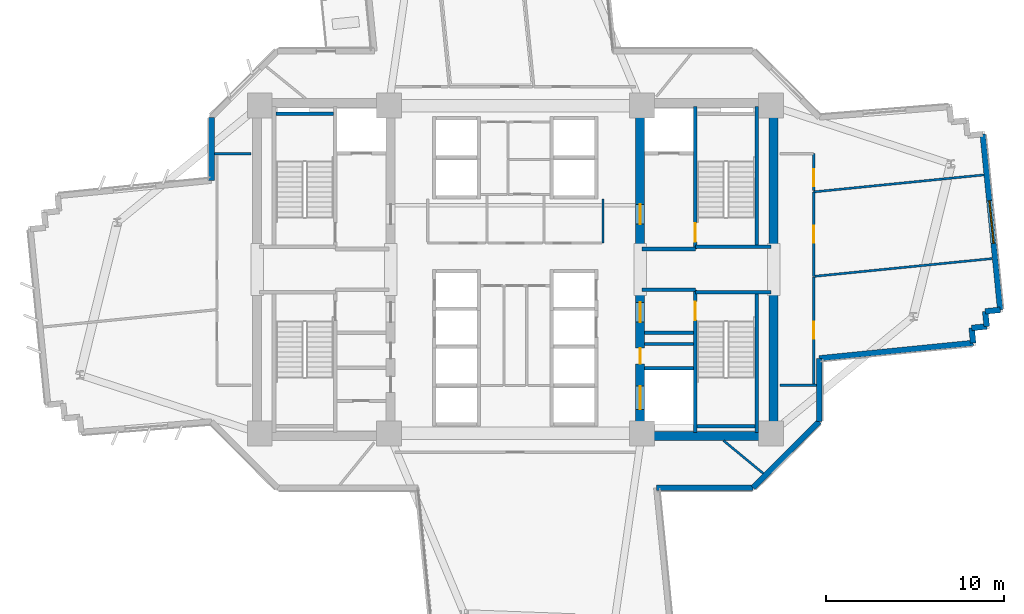
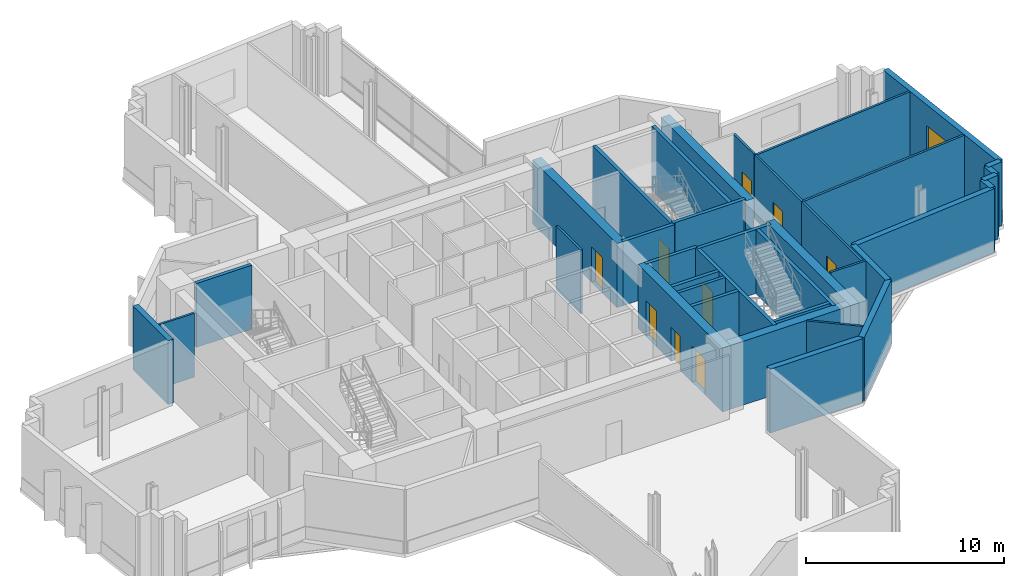
# One storey, part 8 of 14: 37 walls, 9 doors, 1 window, 10 openings.
"""IFC4 building model written with IfcOpenShell, lengths in metres."""

import ifcopenshell
import ifcopenshell.guid

model = None  # the IFC model being written
_history = None  # IfcOwnerHistory: only IFC2X3 demands one
_inside = {}  # id of a spatial element -> (the spatial element, [elements in it])
_under = {}  # id of a project, library or spatial element -> (it, [spatial elements below it])
_declared = {}  # id of a project -> (the project, [libraries it declares])
_typed = {}  # id of a type object -> (the type object, [elements of that type])
_made_of = {}  # id of a material, layer set ... -> (it, [elements and type objects made of it])


def new_model(schema):
    """Start an empty IFC model of exactly this schema.

    Asked for "IFC4X3", IfcOpenShell would pick the latest addendum, in which some entities
    have other attributes; the version numbers below select the first issue.
    IFC2X3 requires an IfcOwnerHistory on every rooted entity: one is made here for all.
    """
    global model, _history
    if schema == "IFC4X3":
        model = ifcopenshell.file(schema_version=(4, 3, 0, 0))
    else:
        model = ifcopenshell.file(schema=schema)
    _inside.clear()
    _under.clear()
    _declared.clear()
    _typed.clear()
    _made_of.clear()
    _history = None
    if model.schema == "IFC2X3":
        org = make("IfcOrganization", Name="unknown")
        user = make(
            "IfcPersonAndOrganization",
            ThePerson=make("IfcPerson", FamilyName="unknown"),
            TheOrganization=org,
        )
        app = make(
            "IfcApplication",
            ApplicationDeveloper=org,
            Version="unknown",
            ApplicationFullName="unknown",
            ApplicationIdentifier="unknown",
        )
        _history = make(
            "IfcOwnerHistory",
            OwningUser=user,
            OwningApplication=app,
            ChangeAction="ADDED",
            CreationDate=0,
        )
    return model


def make(cls, **values):
    """One entity of the class cls with the attributes given. An attribute that is None is left unset."""
    return model.create_entity(
        cls, **{name: value for name, value in values.items() if value is not None}
    )


def rooted(cls, **values):
    """An entity with a GlobalId (a new one), such as an element, a storey or a relation."""
    return make(cls, GlobalId=ifcopenshell.guid.new(), OwnerHistory=_history, **values)


def si_unit(unit_type, name, prefix=None):
    """IfcSIUnit, for example si_unit("LENGTHUNIT", "METRE", prefix="MILLI")."""
    return make("IfcSIUnit", UnitType=unit_type, Prefix=prefix, Name=name)


def assignment(units):
    """IfcUnitAssignment: the units of a project."""
    return None if units is None else make("IfcUnitAssignment", Units=units)


def point(xyz):
    """IfcCartesianPoint."""
    return None if xyz is None else make("IfcCartesianPoint", Coordinates=xyz)


def direction(xyz):
    """IfcDirection."""
    return None if xyz is None else make("IfcDirection", DirectionRatios=xyz)


def frame(location, z_axis=None, x_axis=None):
    """IfcAxis2Placement3D, a coordinate frame: its origin and axes. An axis left out is left unset."""
    return make(
        "IfcAxis2Placement3D",
        Location=point(location),
        Axis=direction(z_axis),
        RefDirection=direction(x_axis),
    )


def frame_2d(location, x_axis=None):
    """IfcAxis2Placement2D, a coordinate frame in the plane: its origin and x axis."""
    return make(
        "IfcAxis2Placement2D", Location=point(location), RefDirection=direction(x_axis)
    )


def origin():
    """The frame at (0, 0, 0) with its axes left unset."""
    return frame((0.0, 0.0, 0.0))


def place(relative_to, where):
    """IfcLocalPlacement: puts the frame where relative to a parent placement (None: the world)."""
    return make(
        "IfcLocalPlacement", PlacementRelTo=relative_to, RelativePlacement=where
    )


def context(
    kind, dimensions, precision=None, world=None, true_north=None, identifier=None
):
    """IfcGeometricRepresentationContext, for example the 3D "Model" context."""
    return make(
        "IfcGeometricRepresentationContext",
        ContextIdentifier=identifier,
        ContextType=kind,
        CoordinateSpaceDimension=dimensions,
        Precision=precision,
        WorldCoordinateSystem=world,
        TrueNorth=true_north,
    )


def subcontext(parent, identifier, kind, view, scale=None):
    """IfcGeometricRepresentationSubContext, for example "Body" below "Model"."""
    return make(
        "IfcGeometricRepresentationSubContext",
        ContextIdentifier=identifier,
        ContextType=kind,
        ParentContext=parent,
        TargetScale=scale,
        TargetView=view,
    )


def project(units=None, contexts=None):
    """IfcProject with its units and contexts."""
    return rooted(
        "IfcProject",
        Name="project",
        RepresentationContexts=contexts,
        UnitsInContext=assignment(units),
    )


def spatial(cls, under=None, at=None, **own):
    """A site, building, storey or space (cls), placed at a placement, below another one or the project."""
    s = rooted(cls, ObjectPlacement=at, **own)
    if under is not None:
        _under.setdefault(under.id(), (under, []))[1].append(s)
    return s


def profile(cls, at=None, kind="AREA", **sizes):
    """A parametric profile (cls). Its sizes go by their IFC names, for example OverallWidth=200.0."""
    return make(cls, ProfileType=kind, Position=at, **sizes)


def rectangle(**sizes):
    """IfcRectangleProfileDef."""
    return profile("IfcRectangleProfileDef", **sizes)


def extrude(swept, where, along, depth):
    """IfcExtrudedAreaSolid: the profile swept, set in the frame where, extruded along a direction by depth."""
    return make(
        "IfcExtrudedAreaSolid",
        SweptArea=swept,
        Position=where,
        ExtrudedDirection=direction(along),
        Depth=depth,
    )


def shape(context_of_items, identifier, shape_type, items):
    """IfcShapeRepresentation: the items that make up one representation, for example the "Body"."""
    return make(
        "IfcShapeRepresentation",
        ContextOfItems=context_of_items,
        RepresentationIdentifier=identifier,
        RepresentationType=shape_type,
        Items=items,
    )


def source(mapping_origin, context_of_items, identifier, shape_type, items):
    """IfcRepresentationMap: a shape defined once, which mapped items show again and again."""
    return make(
        "IfcRepresentationMap",
        MappingOrigin=mapping_origin,
        MappedRepresentation=shape(context_of_items, identifier, shape_type, items),
    )


def transform(
    local_origin,
    x_axis=None,
    y_axis=None,
    z_axis=None,
    scale=None,
    scale2=None,
    scale3=None,
    uniform=True,
):
    """IfcCartesianTransformationOperator3D, or its non-uniform kind. x_axis, y_axis, z_axis: its Axis1, 2, 3."""
    if uniform:
        return make(
            "IfcCartesianTransformationOperator3D",
            Axis1=direction(x_axis),
            Axis2=direction(y_axis),
            LocalOrigin=point(local_origin),
            Scale=scale,
            Axis3=direction(z_axis),
        )
    return make(
        "IfcCartesianTransformationOperator3DnonUniform",
        Axis1=direction(x_axis),
        Axis2=direction(y_axis),
        LocalOrigin=point(local_origin),
        Scale=scale,
        Axis3=direction(z_axis),
        Scale2=scale2,
        Scale3=scale3,
    )


def mapped(mapping_source, mapping_target):
    """IfcMappedItem: shows the shape of a source again, moved by a transform."""
    return make(
        "IfcMappedItem", MappingSource=mapping_source, MappingTarget=mapping_target
    )


def material(Name=None, Category=None):
    """IfcMaterial."""
    return make("IfcMaterial", Name=Name, Category=Category)


def layer(
    of_material, thickness, ventilated=None, Name=None, Category=None, Priority=None
):
    """IfcMaterialLayer: one layer of a wall or slab, of a material (None: an air gap)."""
    return make(
        "IfcMaterialLayer",
        Material=of_material,
        LayerThickness=thickness,
        IsVentilated=ventilated,
        Name=Name,
        Category=Category,
        Priority=Priority,
    )


def layer_set(layers, Name=None):
    """IfcMaterialLayerSet."""
    return make("IfcMaterialLayerSet", MaterialLayers=layers, LayerSetName=Name)


def made_of(thing, what):
    """Note that an element or type object is made of a material, layer set ...; save() writes the relation."""
    if what is not None:
        _made_of.setdefault(what.id(), (what, []))[1].append(thing)
    return thing


def type_object(cls, material=None, **own):
    """A type object (cls), such as IfcWallType, which elements share."""
    return made_of(rooted(cls, **own), material)


def element(
    cls,
    number,
    at=None,
    inside=None,
    cuts=None,
    type_object=None,
    material=None,
    context=None,
    identifier="Body",
    shape_type=None,
    held_by="IfcProductDefinitionShape",
    body=None,
    shapes=None,
    **own,
):
    """One element of the class cls, such as IfcWall. Its Tag is "e" and its number.

    at: its placement. inside: the storey or other place that contains it. cuts: it is an
    opening in that element (IfcRelVoidsElement). A single representation is given by context,
    identifier, shape_type and body (its items); several are given by shapes. held_by: the class
    of the entity that holds the representations. save() writes the other relations.
    """
    e = rooted(cls, Tag="e%d" % number, ObjectPlacement=at, **own)
    if body is not None:
        shapes = [shape(context, identifier, shape_type, body)]
    if shapes is not None:
        e.Representation = make(held_by, Representations=shapes)
    if inside is not None:
        _inside.setdefault(inside.id(), (inside, []))[1].append(e)
    if cuts is not None:
        rooted(
            "IfcRelVoidsElement", RelatingBuildingElement=cuts, RelatedOpeningElement=e
        )
    if type_object is not None:
        _typed.setdefault(type_object.id(), (type_object, []))[1].append(e)
    return made_of(e, material)


def fill(opening, filler):
    """IfcRelFillsElement: the door or window that sits in an opening."""
    return rooted(
        "IfcRelFillsElement",
        RelatingOpeningElement=opening,
        RelatedBuildingElement=filler,
    )


def aggregate(whole, parts):
    """IfcRelAggregates: a whole, such as a stair, and the parts it consists of."""
    return rooted("IfcRelAggregates", RelatingObject=whole, RelatedObjects=parts)


def save(model, path):
    """Write the relations noted so far, then the file.

    IfcRelAggregates (storeys below a building ...), IfcRelContainedInSpatialStructure (elements
    in a storey), IfcRelDefinesByType, IfcRelAssociatesMaterial and IfcRelDeclares: one each for
    every whole, place, type object, material and project.
    """
    for whole, parts in _under.values():
        aggregate(whole, parts)
    for where, things in _inside.values():
        rooted(
            "IfcRelContainedInSpatialStructure",
            RelatedElements=things,
            RelatingStructure=where,
        )
    for kind, things in _typed.values():
        rooted("IfcRelDefinesByType", RelatedObjects=things, RelatingType=kind)
    for what, things in _made_of.values():
        rooted("IfcRelAssociatesMaterial", RelatedObjects=things, RelatingMaterial=what)
    for by, libraries in _declared.values():
        rooted("IfcRelDeclares", RelatingContext=by, RelatedDefinitions=libraries)
    model.write(path)


model = new_model("IFC4")

# Units and contexts
model_context = context("Model", 3, precision=1e-05, world=origin(), true_north=direction((0.0, 1.0)))
body_context = subcontext(model_context, "Body", "Model", "MODEL_VIEW")
ifc_project = project(units=[si_unit("LENGTHUNIT", "METRE"), si_unit("AREAUNIT", "SQUARE_METRE"), si_unit("VOLUMEUNIT", "CUBIC_METRE"), si_unit("PLANEANGLEUNIT", "RADIAN"), si_unit("MASSUNIT", "GRAM", prefix="KILO")], contexts=[model_context])

# Site, building, storey
site_placement = place(None, origin())
site = spatial("IfcSite", under=ifc_project, at=site_placement, CompositionType="ELEMENT")
building_placement = place(site_placement, origin())
building = spatial("IfcBuilding", under=site, at=building_placement, Name="Zahravan Cultural Tower", CompositionType="ELEMENT")
storey_placement = place(building_placement, frame((0.0, 0.0, 96.300048828125)))
storey = spatial("IfcBuildingStorey", under=building, at=storey_placement, Name="L21", CompositionType="ELEMENT", Elevation=96.300048828125)

# Wall, openings, doors
ifc_material_1 = material(Name="Concrete C60/75", Category="concrete")
ifc_layer_1 = layer(ifc_material_1, 0.5)
ifc_layer_set_1 = layer_set([ifc_layer_1], Name="Concrete C60/75")
wall_type_1 = type_object("IfcWallType", Name="CW-SHEAR-500-C60", PredefinedType="SHEAR", material=ifc_layer_set_1)
wall_1_placement = place(storey_placement, frame((43.0, 17.39990234375, 0.0), z_axis=(0.0, 0.0, 1.0), x_axis=(0.0, 1.0, 0.0)))
wall_1 = element("IfcWall", 1, at=wall_1_placement, inside=storey, type_object=wall_type_1, Name="L21 Core Shear Wall CW-E-WS-L21", PredefinedType="SHEAR", context=body_context, shape_type="SweptSolid", body=[
    extrude(rectangle(XDim=8.550048828125, YDim=0.5, at=frame_2d((4.27490234375, 0.0))), origin(), (0.0, 0.0, 1.0), 3.949951171875),
])
opening_1_placement = place(wall_1_placement, frame((6.64990234375, 0.0, 0.0)))
opening_1 = element("IfcOpeningElement", 2, at=opening_1_placement, cuts=wall_1, Name="Opening D-L21-08", PredefinedType="OPENING", context=body_context, shape_type="SweptSolid", body=[
    extrude(rectangle(XDim=1.10009765625, YDim=2.199951171875, at=frame_2d((0.550048828125, 1.10009765625))), frame((0.0, 0.260009765625, 0.0), z_axis=(0.0, -1.0, 0.0), x_axis=(1.0, 0.0, 0.0)), (0.0, 0.0, 1.0), 0.52001953125),
])
opening_2_placement = place(wall_1_placement, frame((1.75, 0.0, 0.0)))
opening_2 = element("IfcOpeningElement", 3, at=opening_2_placement, cuts=wall_1, Name="Opening LD-L21-03", PredefinedType="OPENING", context=body_context, shape_type="SweptSolid", body=[
    extrude(rectangle(XDim=1.300048828125, YDim=2.199951171875, at=frame_2d((0.64990234375, 1.10009765625))), frame((0.0, 0.260009765625, 0.0), z_axis=(0.0, -1.0, 0.0), x_axis=(1.0, 0.0, 0.0)), (0.0, 0.0, 1.0), 0.52001953125),
])
opening_3_placement = place(wall_1_placement, frame((4.300048828125, 0.0, 0.0)))
opening_3 = element("IfcOpeningElement", 4, at=opening_3_placement, cuts=wall_1, Name="Opening D-L21-12", PredefinedType="OPENING", context=body_context, shape_type="SweptSolid", body=[
    extrude(rectangle(XDim=0.8798828125, YDim=2.10009765625, at=frame_2d((0.43994140625, 1.050048828125))), frame((0.0, 0.260009765625, 0.0), z_axis=(0.0, -1.0, 0.0), x_axis=(1.0, 0.0, 0.0)), (0.0, 0.0, 1.0), 0.52001953125),
])
ifc_material_2 = material(Name="Steel ASTM A572 Grade 50", Category="steel")
door_type_1 = type_object("IfcDoorType", Name="DR-LOBBY-1100", OperationType="NOTDEFINED", PredefinedType="DOOR", material=ifc_material_2)
shared_shape_1 = source(origin(), body_context, "Body", "SweptSolid", [
    extrude(rectangle(XDim=1.10009765625, YDim=2.199951171875, at=frame_2d((0.550048828125, 1.10009765625))), frame((0.0, 0.02490234375, 0.0), z_axis=(0.0, -1.0, 0.0), x_axis=(1.0, 0.0, 0.0)), (0.0, 0.0, 1.0), 0.050048828125),
])
door_1_placement = place(opening_1_placement, origin())
door_1 = element("IfcDoor", 5, at=door_1_placement, inside=storey, type_object=door_type_1, Name="L21 Door D-L21-08", OperationType="SINGLE_SWING_LEFT", OverallHeight=2.199951171875, OverallWidth=1.10009765625, PredefinedType="DOOR", context=body_context, shape_type="MappedRepresentation", body=[
    mapped(shared_shape_1, transform((0.0, 0.0, 0.0), x_axis=(1.0, 0.0, 0.0), y_axis=(0.0, 1.0, 0.0), z_axis=(0.0, 0.0, 1.0), scale=1.0)),
])
fill(opening_1, door_1)
door_type_2 = type_object("IfcDoorType", Name="DR-LIFT-1300", OperationType="DOUBLE_DOOR_SLIDING", PredefinedType="DOOR", material=ifc_material_2)
shared_shape_2 = source(origin(), body_context, "Body", "SweptSolid", [
    extrude(rectangle(XDim=1.300048828125, YDim=2.199951171875, at=frame_2d((0.64990234375, 1.10009765625))), frame((0.0, 0.02490234375, 0.0), z_axis=(0.0, -1.0, 0.0), x_axis=(1.0, 0.0, 0.0)), (0.0, 0.0, 1.0), 0.050048828125),
])
door_2_placement = place(opening_2_placement, origin())
door_2 = element("IfcDoor", 6, at=door_2_placement, inside=storey, type_object=door_type_2, Name="L21 Door LD-L21-03", OperationType="DOUBLE_DOOR_SLIDING", OverallHeight=2.199951171875, OverallWidth=1.300048828125, PredefinedType="DOOR", context=body_context, shape_type="MappedRepresentation", body=[
    mapped(shared_shape_2, transform((0.0, 0.0, 0.0), x_axis=(1.0, 0.0, 0.0), y_axis=(0.0, 1.0, 0.0), z_axis=(0.0, 0.0, 1.0), scale=1.0)),
])
fill(opening_2, door_2)
door_type_3 = type_object("IfcDoorType", Name="DR-SVC-880", OperationType="NOTDEFINED", PredefinedType="DOOR", material=ifc_material_2)
shared_shape_3 = source(origin(), body_context, "Body", "SweptSolid", [
    extrude(rectangle(XDim=0.8798828125, YDim=2.10009765625, at=frame_2d((0.43994140625, 1.050048828125))), frame((0.0, 0.02490234375, 0.0), z_axis=(0.0, -1.0, 0.0), x_axis=(1.0, 0.0, 0.0)), (0.0, 0.0, 1.0), 0.050048828125),
])
door_3_placement = place(opening_3_placement, origin())
door_3 = element("IfcDoor", 7, at=door_3_placement, inside=storey, type_object=door_type_3, Name="L21 Door D-L21-12", OperationType="SINGLE_SWING_LEFT", OverallHeight=2.10009765625, OverallWidth=0.8798828125, PredefinedType="DOOR", context=body_context, shape_type="MappedRepresentation", body=[
    mapped(shared_shape_3, transform((0.0, 0.0, 0.0), x_axis=(1.0, 0.0, 0.0), y_axis=(0.0, 1.0, 0.0), z_axis=(0.0, 0.0, 1.0), scale=1.0)),
])
fill(opening_3, door_3)

# Wall, opening, door
wall_2_placement = place(storey_placement, frame((43.0, 28.050048828125, 0.0), z_axis=(0.0, 0.0, 1.0), x_axis=(0.0, 1.0, 0.0)))
wall_2 = element("IfcWall", 8, at=wall_2_placement, inside=storey, type_object=wall_type_1, Name="L21 Core Shear Wall CW-E-WN-L21", PredefinedType="SHEAR", context=body_context, shape_type="SweptSolid", body=[
    extrude(rectangle(XDim=8.550048828125, YDim=0.5, at=frame_2d((4.27490234375, 0.0))), origin(), (0.0, 0.0, 1.0), 3.949951171875),
])
opening_4_placement = place(wall_2_placement, frame((1.5, 0.0, 0.0)))
opening_4 = element("IfcOpeningElement", 9, at=opening_4_placement, cuts=wall_2, Name="Opening D-L21-06", PredefinedType="OPENING", context=body_context, shape_type="SweptSolid", body=[
    extrude(rectangle(XDim=1.10009765625, YDim=2.199951171875, at=frame_2d((0.550048828125, 1.10009765625))), frame((0.0, 0.260009765625, 0.0), z_axis=(0.0, -1.0, 0.0), x_axis=(1.0, 0.0, 0.0)), (0.0, 0.0, 1.0), 0.52001953125),
])
door_4_placement = place(opening_4_placement, origin())
door_4 = element("IfcDoor", 10, at=door_4_placement, inside=storey, type_object=door_type_1, Name="L21 Door D-L21-06", OperationType="SINGLE_SWING_LEFT", OverallHeight=2.199951171875, OverallWidth=1.10009765625, PredefinedType="DOOR", context=body_context, shape_type="MappedRepresentation", body=[
    mapped(shared_shape_1, transform((0.0, 0.0, 0.0), x_axis=(1.0, 0.0, 0.0), y_axis=(0.0, 1.0, 0.0), z_axis=(0.0, 0.0, 1.0), scale=1.0)),
])
fill(opening_4, door_4)

# Wall, opening, window
ifc_material_3 = material(Name="Precast concrete C40/50", Category="concrete")
ifc_layer_2 = layer(ifc_material_3, 0.320068359375)
ifc_layer_set_2 = layer_set([ifc_layer_2], Name="Precast concrete C40/50")
wall_type_2 = type_object("IfcWallType", Name="EW-TC-320", PredefinedType="SOLIDWALL", material=ifc_layer_set_2)
wall_3_placement = place(storey_placement, frame((62.234619140625, 34.603271484375, 0.0), z_axis=(0.0, 0.0, 1.0), x_axis=(0.099303907908, -0.995057151059, 0.0)))
wall_3 = element("IfcWall", 11, at=wall_3_placement, inside=storey, type_object=wall_type_2, Name="L21 Exterior Masonry Frame Wall 32", PredefinedType="SOLIDWALL", context=body_context, shape_type="SweptSolid", body=[
    extrude(rectangle(XDim=9.920166015625, YDim=0.320068359375, at=frame_2d((4.9599609375, 0.0))), origin(), (0.0, 0.0, 1.0), 3.949951171875),
])
opening_5_placement = place(wall_3_placement, frame((3.760009765625, 0.0, 0.85009765625)))
opening_5 = element("IfcOpeningElement", 12, at=opening_5_placement, cuts=wall_3, Name="Opening WN-01", PredefinedType="OPENING", context=body_context, shape_type="SweptSolid", body=[
    extrude(rectangle(XDim=2.39990234375, YDim=1.800048828125, at=frame_2d((1.199951171875, 0.89990234375))), frame((0.0, 0.169921875, 0.0), z_axis=(0.0, -1.0, 0.0), x_axis=(1.0, 0.0, 0.0)), (0.0, 0.0, 1.0), 0.340087890625),
])
ifc_material_4 = material(Name="Low-E solar-control double glazing", Category="glass")
window_type = type_object("IfcWindowType", Name="WN-REC-2400X1800", PartitioningType="DOUBLE_PANEL_VERTICAL", PredefinedType="WINDOW", material=ifc_material_4)
shared_shape_4 = source(origin(), body_context, "Body", "SweptSolid", [
    extrude(rectangle(XDim=2.39990234375, YDim=1.800048828125, at=frame_2d((1.199951171875, 0.89990234375))), frame((0.0, 0.030029296875, 0.0), z_axis=(0.0, -1.0, 0.0), x_axis=(1.0, 0.0, 0.0)), (0.0, 0.0, 1.0), 0.06005859375),
])
window_placement = place(opening_5_placement, origin())
window = element("IfcWindow", 13, at=window_placement, inside=storey, type_object=window_type, Name="L21 Recessed Solar Window 08", OverallHeight=1.800048828125, OverallWidth=2.39990234375, PartitioningType="DOUBLE_PANEL_VERTICAL", PredefinedType="WINDOW", context=body_context, shape_type="MappedRepresentation", body=[
    mapped(shared_shape_4, transform((0.0, 0.0, 0.0), x_axis=(1.0, 0.0, 0.0), y_axis=(0.0, 1.0, 0.0), z_axis=(0.0, 0.0, 1.0), scale=1.0)),
])
fill(opening_5, window)

# Wall, opening, door
ifc_material_5 = material(Name="Gypsum plasterboard partition")
ifc_layer_3 = layer(ifc_material_5, 0.125)
ifc_layer_set_3 = layer_set([ifc_layer_3], Name="Gypsum plasterboard partition")
wall_type_3 = type_object("IfcWallType", Name="W-PART-125", PredefinedType="PARTITIONING", material=ifc_layer_set_3)
wall_4_placement = place(storey_placement, frame((52.75, 26.61181640625, 0.0), z_axis=(0.0, 0.0, 1.0), x_axis=(0.0, 1.0, 0.0)))
wall_4 = element("IfcWall", 14, at=wall_4_placement, inside=storey, type_object=wall_type_3, Name="L21 Interior Wall 091", PredefinedType="PARTITIONING", context=body_context, shape_type="SweptSolid", body=[
    extrude(rectangle(XDim=4.7431640625, YDim=0.125, at=frame_2d((2.37158203125, 0.0))), origin(), (0.0, 0.0, 1.0), 3.949951171875),
])
opening_6_placement = place(wall_4_placement, frame((1.896728515625, 0.0, 0.0)))
opening_6 = element("IfcOpeningElement", 15, at=opening_6_placement, cuts=wall_4, Name="Opening D-L21-22", PredefinedType="OPENING", context=body_context, shape_type="SweptSolid", body=[
    extrude(rectangle(XDim=0.949951171875, YDim=2.14990234375, at=frame_2d((0.47509765625, 1.074951171875))), frame((0.0, 0.072509765625, 0.0), z_axis=(0.0, -1.0, 0.0), x_axis=(1.0, 0.0, 0.0)), (0.0, 0.0, 1.0), 0.14501953125),
])
ifc_material_6 = material(Name="Anodised bronze-aluminium mullion", Category="aluminium")
door_type_4 = type_object("IfcDoorType", Name="DR-ROOM-950", OperationType="NOTDEFINED", PredefinedType="DOOR", material=ifc_material_6)
shared_shape_5 = source(origin(), body_context, "Body", "SweptSolid", [
    extrude(rectangle(XDim=0.949951171875, YDim=2.14990234375, at=frame_2d((0.47509765625, 1.074951171875))), frame((0.0, 0.02490234375, 0.0), z_axis=(0.0, -1.0, 0.0), x_axis=(1.0, 0.0, 0.0)), (0.0, 0.0, 1.0), 0.050048828125),
])
door_5_placement = place(opening_6_placement, origin())
door_5 = element("IfcDoor", 16, at=door_5_placement, inside=storey, type_object=door_type_4, Name="L21 Door D-L21-22", OperationType="SINGLE_SWING_LEFT", OverallHeight=2.14990234375, OverallWidth=0.949951171875, PredefinedType="DOOR", context=body_context, shape_type="MappedRepresentation", body=[
    mapped(shared_shape_5, transform((0.0, 0.0, 0.0), x_axis=(1.0, 0.0, 0.0), y_axis=(0.0, 1.0, 0.0), z_axis=(0.0, 0.0, 1.0), scale=1.0)),
])
fill(opening_6, door_5)

wall_5_placement = place(storey_placement, frame((52.75, 31.4228515625, 0.0), z_axis=(0.0, 0.0, 1.0), x_axis=(-0.000470366834, 0.999999889378, 0.0)))
wall_5 = element("IfcWall", 17, at=wall_5_placement, inside=storey, type_object=wall_type_3, Name="L21 Interior Wall 095", PredefinedType="PARTITIONING", context=body_context, shape_type="SweptSolid", body=[
    extrude(rectangle(XDim=2.076171875, YDim=0.125, at=frame_2d((1.0380859375, 0.0))), origin(), (0.0, 0.0, 1.0), 3.949951171875),
])
opening_7_placement = place(wall_5_placement, frame((0.247802734375, 0.0, 0.0)))
opening_7 = element("IfcOpeningElement", 18, at=opening_7_placement, cuts=wall_5, Name="Opening D-L21-23", PredefinedType="OPENING", context=body_context, shape_type="SweptSolid", body=[
    extrude(rectangle(XDim=0.949951171875, YDim=2.14990234375, at=frame_2d((0.47509765625, 1.074951171875))), frame((0.0, 0.072509765625, 0.0), z_axis=(0.0, -1.0, 0.0), x_axis=(1.0, 0.0, 0.0)), (0.0, 0.0, 1.0), 0.14501953125),
])
door_6_placement = place(opening_7_placement, origin())
door_6 = element("IfcDoor", 19, at=door_6_placement, inside=storey, type_object=door_type_4, Name="L21 Door D-L21-23", OperationType="SINGLE_SWING_RIGHT", OverallHeight=2.14990234375, OverallWidth=0.949951171875, PredefinedType="DOOR", context=body_context, shape_type="MappedRepresentation", body=[
    mapped(shared_shape_5, transform((0.0, 0.0, 0.0), x_axis=(1.0, 0.0, 0.0), y_axis=(0.0, 1.0, 0.0), z_axis=(0.0, 0.0, 1.0), scale=1.0)),
])
fill(opening_7, door_6)

wall_6_placement = place(storey_placement, frame((52.75, 20.56787109375, 0.0), z_axis=(0.0, 0.0, 1.0), x_axis=(0.0, 1.0, 0.0)))
wall_6 = element("IfcWall", 20, at=wall_6_placement, inside=storey, type_object=wall_type_3, Name="L21 Interior Wall 098", PredefinedType="PARTITIONING", context=body_context, shape_type="SweptSolid", body=[
    extrude(rectangle(XDim=6.023681640625, YDim=0.125, at=frame_2d((3.01171875, 0.0))), origin(), (0.0, 0.0, 1.0), 3.949951171875),
])
opening_8_placement = place(wall_6_placement, frame((2.536865234375, 0.0, 0.0)))
opening_8 = element("IfcOpeningElement", 21, at=opening_8_placement, cuts=wall_6, Name="Opening D-L21-21", PredefinedType="OPENING", context=body_context, shape_type="SweptSolid", body=[
    extrude(rectangle(XDim=0.949951171875, YDim=2.14990234375, at=frame_2d((0.47509765625, 1.074951171875))), frame((0.0, 0.072509765625, 0.0), z_axis=(0.0, -1.0, 0.0), x_axis=(1.0, 0.0, 0.0)), (0.0, 0.0, 1.0), 0.14501953125),
])
door_7_placement = place(opening_8_placement, origin())
door_7 = element("IfcDoor", 22, at=door_7_placement, inside=storey, type_object=door_type_4, Name="L21 Door D-L21-21", OperationType="SINGLE_SWING_RIGHT", OverallHeight=2.14990234375, OverallWidth=0.949951171875, PredefinedType="DOOR", context=body_context, shape_type="MappedRepresentation", body=[
    mapped(shared_shape_5, transform((0.0, 0.0, 0.0), x_axis=(1.0, 0.0, 0.0), y_axis=(0.0, 1.0, 0.0), z_axis=(0.0, 0.0, 1.0), scale=1.0)),
])
fill(opening_8, door_7)

ifc_material_7 = material(Name="Concrete C45/55", Category="concrete")
ifc_layer_4 = layer(ifc_material_7, 0.199951171875)
ifc_layer_set_4 = layer_set([ifc_layer_4], Name="Concrete C45/55")
wall_type_4 = type_object("IfcWallType", Name="W-SHAFT-200", PredefinedType="SOLIDWALL", material=ifc_layer_set_4)
wall_7_placement = place(storey_placement, frame((46.10009765625, 17.85009765625, 0.0), z_axis=(0.0, 0.0, 1.0), x_axis=(0.0, 1.0, 0.0)))
wall_7 = element("IfcWall", 23, at=wall_7_placement, inside=storey, type_object=wall_type_4, Name="L21 Interior Wall 007", PredefinedType="SOLIDWALL", context=body_context, shape_type="SweptSolid", body=[
    extrude(rectangle(XDim=8.0, YDim=0.199951171875, at=frame_2d((4.0, 0.0))), origin(), (0.0, 0.0, 1.0), 3.949951171875),
])
opening_9_placement = place(wall_7_placement, frame((6.300048828125, 0.0, 0.0)))
opening_9 = element("IfcOpeningElement", 24, at=opening_9_placement, cuts=wall_7, Name="Opening D-L21-03", PredefinedType="OPENING", context=body_context, shape_type="SweptSolid", body=[
    extrude(rectangle(XDim=1.050048828125, YDim=2.14990234375, at=frame_2d((0.52490234375, 1.074951171875))), frame((0.0, 0.10986328125, 0.0), z_axis=(0.0, -1.0, 0.0), x_axis=(1.0, 0.0, 0.0)), (0.0, 0.0, 1.0), 0.219970703125),
])
door_type_5 = type_object("IfcDoorType", Name="DR-STAIR-1050", OperationType="NOTDEFINED", PredefinedType="DOOR", material=ifc_material_2)
shared_shape_6 = source(origin(), body_context, "Body", "SweptSolid", [
    extrude(rectangle(XDim=1.050048828125, YDim=2.14990234375, at=frame_2d((0.52490234375, 1.074951171875))), frame((0.0, 0.02490234375, 0.0), z_axis=(0.0, -1.0, 0.0), x_axis=(1.0, 0.0, 0.0)), (0.0, 0.0, 1.0), 0.050048828125),
])
door_8_placement = place(opening_9_placement, origin())
door_8 = element("IfcDoor", 25, at=door_8_placement, inside=storey, type_object=door_type_5, Name="L21 Door D-L21-03", OperationType="SINGLE_SWING_RIGHT", OverallHeight=2.14990234375, OverallWidth=1.050048828125, PredefinedType="DOOR", context=body_context, shape_type="MappedRepresentation", body=[
    mapped(shared_shape_6, transform((0.0, 0.0, 0.0), x_axis=(1.0, 0.0, 0.0), y_axis=(0.0, 1.0, 0.0), z_axis=(0.0, 0.0, 1.0), scale=1.0)),
])
fill(opening_9, door_8)

wall_8_placement = place(storey_placement, frame((46.10009765625, 28.14990234375, 0.0), z_axis=(0.0, 0.0, 1.0), x_axis=(0.0, 1.0, 0.0)))
wall_8 = element("IfcWall", 26, at=wall_8_placement, inside=storey, type_object=wall_type_4, Name="L21 Interior Wall 008", PredefinedType="SOLIDWALL", context=body_context, shape_type="SweptSolid", body=[
    extrude(rectangle(XDim=8.0, YDim=0.199951171875, at=frame_2d((4.0, 0.0))), origin(), (0.0, 0.0, 1.0), 3.949951171875),
])
opening_10_placement = place(wall_8_placement, frame((0.39990234375, 0.0, 0.0)))
opening_10 = element("IfcOpeningElement", 27, at=opening_10_placement, cuts=wall_8, Name="Opening D-L21-02", PredefinedType="OPENING", context=body_context, shape_type="SweptSolid", body=[
    extrude(rectangle(XDim=1.050048828125, YDim=2.14990234375, at=frame_2d((0.52490234375, 1.074951171875))), frame((0.0, 0.10986328125, 0.0), z_axis=(0.0, -1.0, 0.0), x_axis=(1.0, 0.0, 0.0)), (0.0, 0.0, 1.0), 0.219970703125),
])
door_9_placement = place(opening_10_placement, origin())
door_9 = element("IfcDoor", 28, at=door_9_placement, inside=storey, type_object=door_type_5, Name="L21 Door D-L21-02", OperationType="SINGLE_SWING_LEFT", OverallHeight=2.14990234375, OverallWidth=1.050048828125, PredefinedType="DOOR", context=body_context, shape_type="MappedRepresentation", body=[
    mapped(shared_shape_6, transform((0.0, 0.0, 0.0), x_axis=(1.0, 0.0, 0.0), y_axis=(0.0, 1.0, 0.0), z_axis=(0.0, 0.0, 1.0), scale=1.0)),
])
fill(opening_10, door_9)

# Walls
shared_shape_7 = source(origin(), body_context, "Body", "SweptSolid", [
    extrude(rectangle(XDim=8.550048828125, YDim=0.5, at=frame_2d((4.27490234375, 0.0))), origin(), (0.0, 0.0, 1.0), 3.949951171875),
])
for number, where, z_axis, x_axis, name in (
    (29, (50.5, 17.39990234375, 0.0), (0.0, 0.0, 1.0), (0.0, 1.0, 0.0), "L21 Core Shear Wall CW-E-ES-L21"),
    (30, (50.5, 28.050048828125, 0.0), (0.0, 0.0, 1.0), (0.0, 1.0, 0.0), "L21 Core Shear Wall CW-E-EN-L21"),
):
    element("IfcWall", number, at=place(storey_placement, frame(where, z_axis=z_axis, x_axis=x_axis)), inside=storey, type_object=wall_type_1, Name=name, PredefinedType="SHEAR", context=body_context, shape_type="MappedRepresentation", body=[
        mapped(shared_shape_7, transform((0.0, 0.0, 0.0), x_axis=(1.0, 0.0, 0.0), y_axis=(0.0, 1.0, 0.0), z_axis=(0.0, 0.0, 1.0), scale=1.0)),
    ])
shared_shape_8 = source(origin(), body_context, "Body", "SweptSolid", [
    extrude(rectangle(XDim=7.0, YDim=0.5, at=frame_2d((3.5, 0.0))), origin(), (0.0, 0.0, 1.0), 3.949951171875),
])
wall_9_placement = place(storey_placement, frame((43.25, 17.64990234375, 0.0), z_axis=(0.0, 0.0, 1.0), x_axis=(1.0, 0.0, 0.0)))
element("IfcWall", 31, at=wall_9_placement, inside=storey, type_object=wall_type_1, Name="L21 Core Shear Wall CW-E-S-L21", PredefinedType="SHEAR", context=body_context, shape_type="MappedRepresentation", body=[
    mapped(shared_shape_8, transform((0.0, 0.0, 0.0), x_axis=(1.0, 0.0, 0.0), y_axis=(0.0, 1.0, 0.0), z_axis=(0.0, 0.0, 1.0), scale=1.0)),
])
shared_shape_9 = source(origin(), body_context, "Body", "SweptSolid", [
    extrude(rectangle(XDim=0.849853515625, YDim=0.320068359375, at=frame_2d((0.4248046875, 0.0))), origin(), (0.0, 0.0, 1.0), 3.949951171875),
])
for number, where, z_axis, x_axis, name in (
    (32, (63.2197265625, 24.732177734375, 0.0), (0.0, 0.0, 1.0), (-0.995048560111, -0.09938995433, 0.0), "L21 Exterior Masonry Frame Wall 33"),
    (33, (62.3740234375, 24.647705078125, 0.0), (0.0, 0.0, 1.0), (0.09938995433, -0.995048560111, 0.0), "L21 Exterior Masonry Frame Wall 34"),
    (34, (62.45849609375, 23.802001953125, 0.0), (0.0, 0.0, 1.0), (-0.995048560111, -0.09938995433, 0.0), "L21 Exterior Masonry Frame Wall 35"),
    (35, (61.61279296875, 23.717529296875, 0.0), (0.0, 0.0, 1.0), (0.099105525559, -0.995076929088, 0.0), "L21 Exterior Masonry Frame Wall 36"),
):
    element("IfcWall", number, at=place(storey_placement, frame(where, z_axis=z_axis, x_axis=x_axis)), inside=storey, type_object=wall_type_2, Name=name, PredefinedType="SOLIDWALL", context=body_context, shape_type="MappedRepresentation", body=[
        mapped(shared_shape_9, transform((0.0, 0.0, 0.0), x_axis=(1.0, 0.0, 0.0), y_axis=(0.0, 1.0, 0.0), z_axis=(0.0, 0.0, 1.0), scale=1.0)),
    ])
shared_shape_10 = source(origin(), body_context, "Body", "SweptSolid", [
    extrude(rectangle(XDim=5.258056640625, YDim=0.320068359375, at=frame_2d((2.62890625, 0.0))), origin(), (0.0, 0.0, 1.0), 3.949951171875),
])
wall_10_placement = place(storey_placement, frame((53.06005859375, 18.4580078125, 0.0), z_axis=(0.0, 0.0, 1.0), x_axis=(-0.707106781187, -0.707106781187, 0.0)))
element("IfcWall", 36, at=wall_10_placement, inside=storey, type_object=wall_type_2, Name="L21 Exterior Masonry Frame Wall 39", PredefinedType="SOLIDWALL", context=body_context, shape_type="MappedRepresentation", body=[
    mapped(shared_shape_10, transform((0.0, 0.0, 0.0), x_axis=(1.0, 0.0, 0.0), y_axis=(0.0, 1.0, 0.0), z_axis=(0.0, 0.0, 1.0), scale=1.0)),
])
shared_shape_11 = source(origin(), body_context, "Body", "SweptSolid", [
    extrude(rectangle(XDim=3.5517578125, YDim=0.320068359375, at=frame_2d((1.77587890625, 0.0))), origin(), (0.0, 0.0, 1.0), 3.949951171875),
])
for number, where, z_axis, x_axis, name in (
    (37, (18.93994140625, 31.990234375, 0.0), (0.0, 0.0, 1.0), (0.0, 1.0, 0.0), "L21 Exterior Masonry Frame Wall 12"),
    (38, (53.06005859375, 22.009765625, 0.0), (0.0, 0.0, 1.0), (0.0, -1.0, 0.0), "L21 Exterior Masonry Frame Wall 38"),
):
    element("IfcWall", number, at=place(storey_placement, frame(where, z_axis=z_axis, x_axis=x_axis)), inside=storey, type_object=wall_type_2, Name=name, PredefinedType="SOLIDWALL", context=body_context, shape_type="MappedRepresentation", body=[
        mapped(shared_shape_11, transform((0.0, 0.0, 0.0), x_axis=(1.0, 0.0, 0.0), y_axis=(0.0, 1.0, 0.0), z_axis=(0.0, 0.0, 1.0), scale=1.0)),
    ])
shared_shape_12 = source(origin(), body_context, "Body", "SweptSolid", [
    extrude(rectangle(XDim=8.679931640625, YDim=0.320068359375, at=frame_2d((4.33984375, 0.0))), origin(), (0.0, 0.0, 1.0), 3.949951171875),
])
wall_11_placement = place(storey_placement, frame((61.697021484375, 22.871826171875, 0.0), z_axis=(0.0, 0.0, 1.0), x_axis=(-0.995055831351, -0.099317130918, 0.0)))
element("IfcWall", 39, at=wall_11_placement, inside=storey, type_object=wall_type_2, Name="L21 Exterior Masonry Frame Wall 37", PredefinedType="SOLIDWALL", context=body_context, shape_type="MappedRepresentation", body=[
    mapped(shared_shape_12, transform((0.0, 0.0, 0.0), x_axis=(1.0, 0.0, 0.0), y_axis=(0.0, 1.0, 0.0), z_axis=(0.0, 0.0, 1.0), scale=1.0)),
])
shared_shape_13 = source(origin(), body_context, "Body", "SweptSolid", [
    extrude(rectangle(XDim=5.42529296875, YDim=0.320068359375, at=frame_2d((2.712646484375, 0.0))), origin(), (0.0, 0.0, 1.0), 3.949951171875),
])
wall_12_placement = place(storey_placement, frame((49.342041015625, 14.739990234375, 0.0), z_axis=(0.0, 0.0, 1.0), x_axis=(-1.0, 0.0, 0.0)))
element("IfcWall", 40, at=wall_12_placement, inside=storey, type_object=wall_type_2, Name="L21 Exterior Masonry Frame Wall 40", PredefinedType="SOLIDWALL", context=body_context, shape_type="MappedRepresentation", body=[
    mapped(shared_shape_13, transform((0.0, 0.0, 0.0), x_axis=(1.0, 0.0, 0.0), y_axis=(0.0, 1.0, 0.0), z_axis=(0.0, 0.0, 1.0), scale=1.0)),
])
shared_shape_14 = source(origin(), body_context, "Body", "SweptSolid", [
    extrude(rectangle(XDim=7.869873046875, YDim=0.199951171875, at=frame_2d((3.93505859375, 0.0))), origin(), (0.0, 0.0, 1.0), 3.949951171875),
])
for number, where, z_axis, x_axis, name in (
    (41, (49.550048828125, 17.85009765625, 0.0), (0.0, 0.0, 1.0), (0.0, 1.0, 0.0), "L21 Interior Wall 003"),
    (42, (49.550048828125, 28.280029296875, 0.0), (0.0, 0.0, 1.0), (0.0, 1.0, 0.0), "L21 Interior Wall 004"),
):
    element("IfcWall", number, at=place(storey_placement, frame(where, z_axis=z_axis, x_axis=x_axis)), inside=storey, type_object=wall_type_4, Name=name, PredefinedType="SOLIDWALL", context=body_context, shape_type="MappedRepresentation", body=[
        mapped(shared_shape_14, transform((0.0, 0.0, 0.0), x_axis=(1.0, 0.0, 0.0), y_axis=(0.0, 1.0, 0.0), z_axis=(0.0, 0.0, 1.0), scale=1.0)),
    ])
shared_shape_15 = source(origin(), body_context, "Body", "SweptSolid", [
    extrude(rectangle(XDim=4.25, YDim=0.199951171875, at=frame_2d((2.125, 0.0))), origin(), (0.0, 0.0, 1.0), 3.949951171875),
])
for number, where, z_axis, x_axis, name in (
    (43, (46.10009765625, 25.715087890625, 0.0), (0.0, 0.0, 1.0), (1.0, 0.0, 0.0), "L21 Interior Wall 014"),
    (44, (46.10009765625, 28.284912109375, 0.0), (0.0, 0.0, 1.0), (1.0, 0.0, 0.0), "L21 Interior Wall 016"),
):
    element("IfcWall", number, at=place(storey_placement, frame(where, z_axis=z_axis, x_axis=x_axis)), inside=storey, type_object=wall_type_4, Name=name, PredefinedType="SOLIDWALL", context=body_context, shape_type="MappedRepresentation", body=[
        mapped(shared_shape_15, transform((0.0, 0.0, 0.0), x_axis=(1.0, 0.0, 0.0), y_axis=(0.0, 1.0, 0.0), z_axis=(0.0, 0.0, 1.0), scale=1.0)),
    ])
shared_shape_16 = source(origin(), body_context, "Body", "SweptSolid", [
    extrude(rectangle(XDim=3.0, YDim=0.199951171875, at=frame_2d((1.5, 0.0))), origin(), (0.0, 0.0, 1.0), 3.949951171875),
])
for number, where, z_axis, x_axis, name in (
    (45, (43.10009765625, 25.85009765625, 0.0), (0.0, 0.0, 1.0), (1.0, 0.0, 0.0), "L21 Interior Wall 013"),
    (46, (43.10009765625, 28.14990234375, 0.0), (0.0, 0.0, 1.0), (1.0, 0.0, 0.0), "L21 Interior Wall 015"),
):
    element("IfcWall", number, at=place(storey_placement, frame(where, z_axis=z_axis, x_axis=x_axis)), inside=storey, type_object=wall_type_4, Name=name, PredefinedType="SOLIDWALL", context=body_context, shape_type="MappedRepresentation", body=[
        mapped(shared_shape_16, transform((0.0, 0.0, 0.0), x_axis=(1.0, 0.0, 0.0), y_axis=(0.0, 1.0, 0.0), z_axis=(0.0, 0.0, 1.0), scale=1.0)),
    ])
shared_shape_17 = source(origin(), body_context, "Body", "SweptSolid", [
    extrude(rectangle(XDim=3.25, YDim=0.199951171875, at=frame_2d((1.625, 0.0))), origin(), (0.0, 0.0, 1.0), 3.949951171875),
])
for number, where, z_axis, x_axis, name in (
    (47, (22.550048828125, 35.75, 0.0), (0.0, 0.0, 1.0), (1.0, 0.0, 0.0), "L21 Interior Wall 017"),
    (48, (46.199951171875, 18.199951171875, 0.0), (0.0, 0.0, 1.0), (1.0, 0.0, 0.0), "L21 Interior Wall 020"),
):
    element("IfcWall", number, at=place(storey_placement, frame(where, z_axis=z_axis, x_axis=x_axis)), inside=storey, type_object=wall_type_4, Name=name, PredefinedType="SOLIDWALL", context=body_context, shape_type="MappedRepresentation", body=[
        mapped(shared_shape_17, transform((0.0, 0.0, 0.0), x_axis=(1.0, 0.0, 0.0), y_axis=(0.0, 1.0, 0.0), z_axis=(0.0, 0.0, 1.0), scale=1.0)),
    ])
shared_shape_18 = source(origin(), body_context, "Body", "SweptSolid", [
    extrude(rectangle(XDim=2.75, YDim=0.199951171875, at=frame_2d((1.375, 0.0))), origin(), (0.0, 0.0, 1.0), 3.949951171875),
])
for number, where, z_axis, x_axis, name in (
    (49, (43.25, 23.449951171875, 0.0), (0.0, 0.0, 1.0), (1.0, 0.0, 0.0), "L21 Interior Wall 024"),
    (50, (43.25, 21.449951171875, 0.0), (0.0, 0.0, 1.0), (1.0, 0.0, 0.0), "L21 Interior Wall 025"),
):
    element("IfcWall", number, at=place(storey_placement, frame(where, z_axis=z_axis, x_axis=x_axis)), inside=storey, type_object=wall_type_4, Name=name, PredefinedType="SOLIDWALL", context=body_context, shape_type="MappedRepresentation", body=[
        mapped(shared_shape_18, transform((0.0, 0.0, 0.0), x_axis=(1.0, 0.0, 0.0), y_axis=(0.0, 1.0, 0.0), z_axis=(0.0, 0.0, 1.0), scale=1.0)),
    ])
ifc_layer_5 = layer(ifc_material_5, 0.179931640625)
ifc_layer_set_5 = layer_set([ifc_layer_5], Name="Gypsum plasterboard partition")
wall_type_5 = type_object("IfcWallType", Name="W-COMP-180", PredefinedType="PARTITIONING", material=ifc_layer_set_5)
shared_shape_19 = source(origin(), body_context, "Body", "SweptSolid", [
    extrude(rectangle(XDim=2.75, YDim=0.179931640625, at=frame_2d((1.375, 0.0))), origin(), (0.0, 0.0, 1.0), 3.949951171875),
])
wall_13_placement = place(storey_placement, frame((43.25, 22.820068359375, 0.0), z_axis=(0.0, 0.0, 1.0), x_axis=(1.0, 0.0, 0.0)))
element("IfcWall", 51, at=wall_13_placement, inside=storey, type_object=wall_type_5, Name="L21 Interior Wall 028", PredefinedType="PARTITIONING", context=body_context, shape_type="MappedRepresentation", body=[
    mapped(shared_shape_19, transform((0.0, 0.0, 0.0), x_axis=(1.0, 0.0, 0.0), y_axis=(0.0, 1.0, 0.0), z_axis=(0.0, 0.0, 1.0), scale=1.0)),
])
shared_shape_20 = source(origin(), body_context, "Body", "SweptSolid", [
    extrude(rectangle(XDim=2.469970703125, YDim=0.125, at=frame_2d((1.23486328125, 0.0))), origin(), (0.0, 0.0, 1.0), 3.949951171875),
])
wall_14_placement = place(storey_placement, frame((40.919921875, 30.949951171875, 0.0), z_axis=(0.0, 0.0, 1.0), x_axis=(0.0, -1.0, 0.0)))
element("IfcWall", 52, at=wall_14_placement, inside=storey, type_object=wall_type_3, Name="L21 Interior Wall 089", PredefinedType="PARTITIONING", context=body_context, shape_type="MappedRepresentation", body=[
    mapped(shared_shape_20, transform((0.0, 0.0, 0.0), x_axis=(1.0, 0.0, 0.0), y_axis=(0.0, 1.0, 0.0), z_axis=(0.0, 0.0, 1.0), scale=1.0)),
])
shared_shape_21 = source(origin(), body_context, "Body", "SweptSolid", [
    extrude(rectangle(XDim=2.04931640625, YDim=0.125, at=frame_2d((1.024658203125, 0.0))), origin(), (0.0, 0.0, 1.0), 3.949951171875),
])
wall_15_placement = place(storey_placement, frame((21.1494140625, 33.49658203125, 0.0), z_axis=(0.0, 0.0, 1.0), x_axis=(-0.999999936133, 0.000357398119, 0.0)))
element("IfcWall", 53, at=wall_15_placement, inside=storey, type_object=wall_type_3, Name="L21 Interior Wall 113", PredefinedType="PARTITIONING", context=body_context, shape_type="MappedRepresentation", body=[
    mapped(shared_shape_21, transform((0.0, 0.0, 0.0), x_axis=(1.0, 0.0, 0.0), y_axis=(0.0, 1.0, 0.0), z_axis=(0.0, 0.0, 1.0), scale=1.0)),
])
shared_shape_22 = source(origin(), body_context, "Body", "SweptSolid", [
    extrude(rectangle(XDim=9.59521484375, YDim=0.125, at=frame_2d((4.797607421875, 0.0))), origin(), (0.0, 0.0, 1.0), 3.949951171875),
])
wall_16_placement = place(storey_placement, frame((52.75, 31.35498046875, 0.0), z_axis=(0.0, 0.0, 1.0), x_axis=(0.995054305912, 0.099332413068, 0.0)))
element("IfcWall", 54, at=wall_16_placement, inside=storey, type_object=wall_type_3, Name="L21 Interior Wall 092", PredefinedType="PARTITIONING", context=body_context, shape_type="MappedRepresentation", body=[
    mapped(shared_shape_22, transform((0.0, 0.0, 0.0), x_axis=(1.0, 0.0, 0.0), y_axis=(0.0, 1.0, 0.0), z_axis=(0.0, 0.0, 1.0), scale=1.0)),
])
shared_shape_23 = source(origin(), body_context, "Body", "SweptSolid", [
    extrude(rectangle(XDim=9.998779296875, YDim=0.125, at=frame_2d((4.99951171875, 0.0))), origin(), (0.0, 0.0, 1.0), 3.949951171875),
])
wall_17_placement = place(storey_placement, frame((62.7666015625, 27.611572265625, 0.0), z_axis=(0.0, 0.0, 1.0), x_axis=(-0.995054581391, -0.099329653443, 0.0)))
element("IfcWall", 55, at=wall_17_placement, inside=storey, type_object=wall_type_3, Name="L21 Interior Wall 093", PredefinedType="PARTITIONING", context=body_context, shape_type="MappedRepresentation", body=[
    mapped(shared_shape_23, transform((0.0, 0.0, 0.0), x_axis=(1.0, 0.0, 0.0), y_axis=(0.0, 1.0, 0.0), z_axis=(0.0, 0.0, 1.0), scale=1.0)),
])
shared_shape_24 = source(origin(), body_context, "Body", "SweptSolid", [
    extrude(rectangle(XDim=2.04736328125, YDim=0.125, at=frame_2d((1.023681640625, 0.0))), origin(), (0.0, 0.0, 1.0), 3.949951171875),
])
wall_18_placement = place(storey_placement, frame((50.8525390625, 20.50244140625, 0.0), z_axis=(0.0, 0.0, 1.0), x_axis=(0.999999289016, -0.001192462782, 0.0)))
element("IfcWall", 56, at=wall_18_placement, inside=storey, type_object=wall_type_3, Name="L21 Interior Wall 097", PredefinedType="PARTITIONING", context=body_context, shape_type="MappedRepresentation", body=[
    mapped(shared_shape_24, transform((0.0, 0.0, 0.0), x_axis=(1.0, 0.0, 0.0), y_axis=(0.0, 1.0, 0.0), z_axis=(0.0, 0.0, 1.0), scale=1.0)),
])
shared_shape_25 = source(origin(), body_context, "Body", "SweptSolid", [
    extrude(rectangle(XDim=2.898193359375, YDim=0.125, at=frame_2d((1.44921875, 0.0))), origin(), (0.0, 0.0, 1.0), 3.949951171875),
])
wall_19_placement = place(storey_placement, frame((49.91748046875, 15.548828125, 0.0), z_axis=(0.0, 0.0, 1.0), x_axis=(-0.770859236659, 0.637005523726, 0.0)))
element("IfcWall", 57, at=wall_19_placement, inside=storey, type_object=wall_type_3, Name="L21 Interior Wall 099", PredefinedType="PARTITIONING", context=body_context, shape_type="MappedRepresentation", body=[
    mapped(shared_shape_25, transform((0.0, 0.0, 0.0), x_axis=(1.0, 0.0, 0.0), y_axis=(0.0, 1.0, 0.0), z_axis=(0.0, 0.0, 1.0), scale=1.0)),
])

save(model, "model.ifc")
